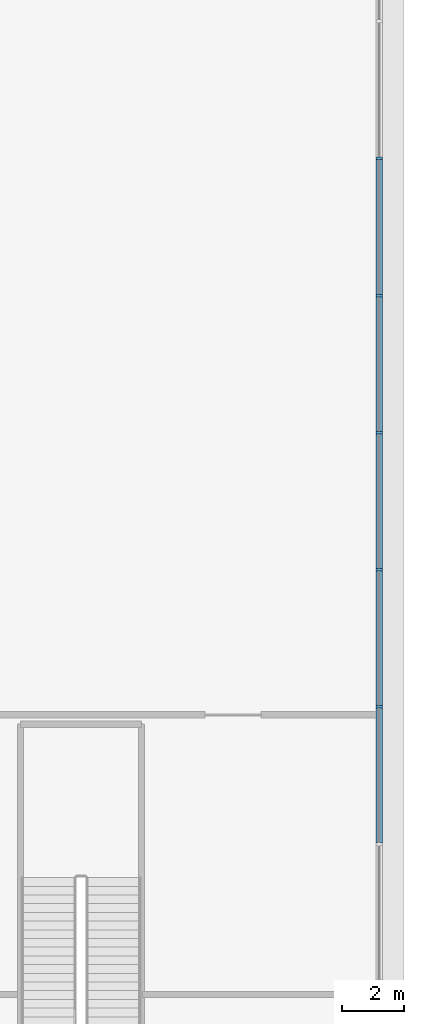
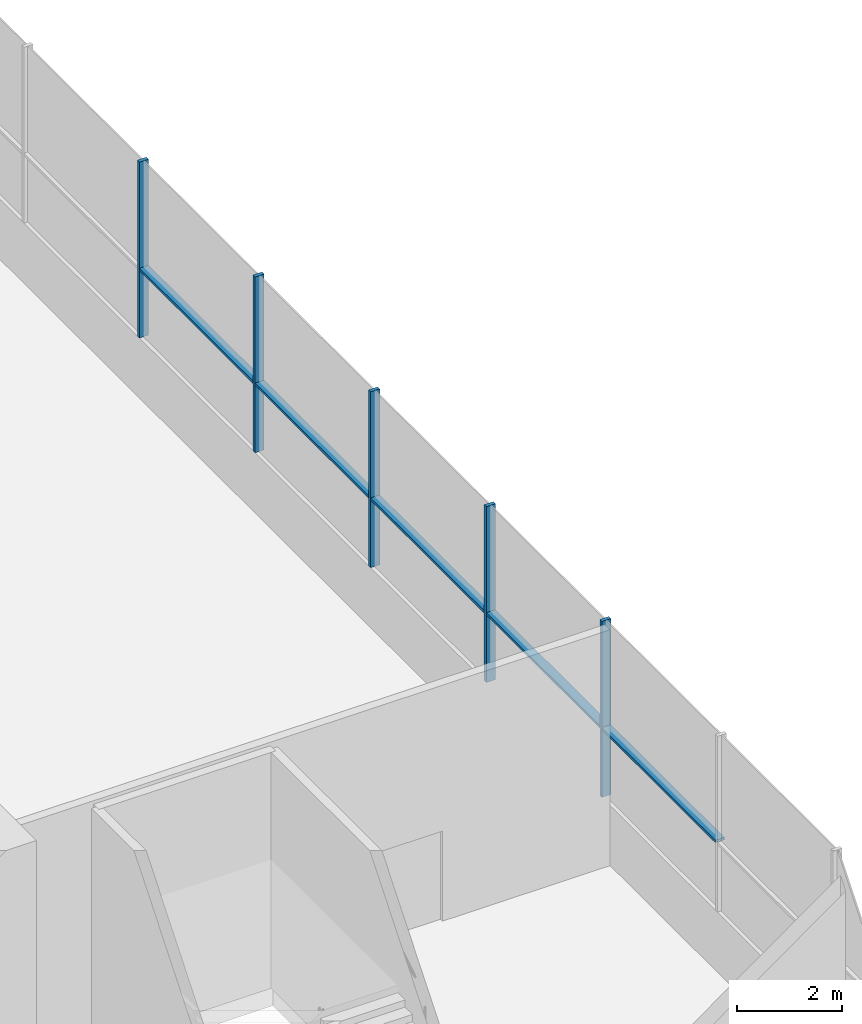
# One storey, part 19 of 52: 10 members, 1 element without a shape of its own.
"""IFC4 building model written with IfcOpenShell, lengths in metres."""

from ifc_helpers import new_model, si_unit, direction, frame, origin, origin_2d, place, context, subcontext, project, spatial, polyline, rectangle, outline, extrude, material, layer, layer_set, material_profile, profile_set, type_object, element, aggregate, save


model = new_model("IFC4")

# Units and contexts
model_context = context("Model", 3, precision=1e-05, world=origin(), true_north=direction((0.0, 1.0)))
body_context = subcontext(model_context, "Body", "Model", "MODEL_VIEW")
ifc_project = project(units=[si_unit("LENGTHUNIT", "METRE"), si_unit("AREAUNIT", "SQUARE_METRE"), si_unit("VOLUMEUNIT", "CUBIC_METRE"), si_unit("PLANEANGLEUNIT", "RADIAN"), si_unit("MASSUNIT", "GRAM", prefix="KILO")], contexts=[model_context])

# Site, building, storey
site_placement = place(None, origin())
site = spatial("IfcSite", under=ifc_project, at=site_placement, CompositionType="ELEMENT")
building_placement = place(site_placement, origin())
building = spatial("IfcBuilding", under=site, at=building_placement, Name="Tamarind Cross Interchange Tower", CompositionType="ELEMENT")
storey_placement = place(building_placement, frame((0.0, 0.0, 9.0)))
storey = spatial("IfcBuildingStorey", under=building, at=storey_placement, Name="L01", CompositionType="ELEMENT", Elevation=9.0)

# Curtain wall, members
ifc_material = material(Name="Aluminium 6063-T6", Category="aluminium")
ifc_layer = layer(ifc_material, 0.199951171875)
ifc_layer_set = layer_set([ifc_layer], Name="Aluminium 6063-T6")
curtain_wall_type = type_object("IfcCurtainWallType", Name="Podium shopfront and station curtain wall", PredefinedType="NOTDEFINED", material=ifc_layer_set)
curtain_wall_placement = place(storey_placement, origin())
curtain_wall = element("IfcCurtainWall", 1, at=curtain_wall_placement, inside=storey, type_object=curtain_wall_type, Name="CWS-L01-00", PredefinedType="NOTDEFINED")
ifc_material_profile = material_profile(ifc_material, rectangle(XDim=0.080078125, YDim=0.199951171875, at=origin_2d()), Name="Mullion CW3")
ifc_profile_set = profile_set([ifc_material_profile], Name="Aluminium 6063-T6")
member_type_1 = type_object("IfcMemberType", Name="Mullion CW3", PredefinedType="MULLION", material=ifc_profile_set)
member_1_placement = place(storey_placement, frame((67.800048828125, -13.24609375, 1.39990234375), z_axis=(0.0, 0.0, 1.0), x_axis=(0.0, 1.0, 0.0)))
member_1 = element("IfcMember", 2, at=member_1_placement, type_object=member_type_1, Name="CWM-L01-00-09", PredefinedType="MULLION", context=body_context, shape_type="SweptSolid", body=[
    extrude(rectangle(XDim=0.080078125, YDim=0.199951171875, at=origin_2d()), origin(), (0.0, 0.0, 1.0), 4.10009765625),
])
member_2_placement = place(storey_placement, frame((67.800048828125, -8.830810546875, 1.39990234375), z_axis=(0.0, 0.0, 1.0), x_axis=(0.0, 1.0, 0.0)))
member_2 = element("IfcMember", 3, at=member_2_placement, type_object=member_type_1, Name="CWM-L01-00-10", PredefinedType="MULLION", context=body_context, shape_type="SweptSolid", body=[
    extrude(rectangle(XDim=0.080078125, YDim=0.199951171875, at=origin_2d()), origin(), (0.0, 0.0, 1.0), 4.10009765625),
])
member_3_placement = place(storey_placement, frame((67.800048828125, -4.415283203125, 1.39990234375), z_axis=(0.0, 0.0, 1.0), x_axis=(0.0, 1.0, 0.0)))
member_3 = element("IfcMember", 4, at=member_3_placement, type_object=member_type_1, Name="CWM-L01-00-11", PredefinedType="MULLION", context=body_context, shape_type="SweptSolid", body=[
    extrude(rectangle(XDim=0.080078125, YDim=0.199951171875, at=origin_2d()), origin(), (0.0, 0.0, 1.0), 4.10009765625),
])
member_4_placement = place(storey_placement, frame((67.800048828125, 0.0, 1.39990234375), z_axis=(0.0, 0.0, 1.0), x_axis=(0.0, 1.0, 0.0)))
member_4 = element("IfcMember", 5, at=member_4_placement, type_object=member_type_1, Name="CWM-L01-00-12", PredefinedType="MULLION", context=body_context, shape_type="SweptSolid", body=[
    extrude(rectangle(XDim=0.080078125, YDim=0.199951171875, at=origin_2d()), origin(), (0.0, 0.0, 1.0), 4.10009765625),
])
member_5_placement = place(storey_placement, frame((67.800048828125, 4.415283203125, 1.39990234375), z_axis=(0.0, 0.0, 1.0), x_axis=(0.0, 1.0, 0.0)))
member_5 = element("IfcMember", 6, at=member_5_placement, type_object=member_type_1, Name="CWM-L01-00-13", PredefinedType="MULLION", context=body_context, shape_type="SweptSolid", body=[
    extrude(rectangle(XDim=0.080078125, YDim=0.199951171875, at=origin_2d()), origin(), (0.0, 0.0, 1.0), 4.10009765625),
])
member_type_2 = type_object("IfcMemberType", Name="Podium intermediate transom", PredefinedType="USERDEFINED", material=ifc_material)
member_6_placement = place(storey_placement, frame((0.0, 0.0, 2.969970703125)))
member_6 = element("IfcMember", 7, at=member_6_placement, type_object=member_type_2, Name="CWT-L01-00-I0-08", ObjectType="TRANSOM", PredefinedType="USERDEFINED", context=body_context, shape_type="SweptSolid", body=[
    extrude(outline(polyline([(67.699951171875, -17.621337890625), (67.699951171875, -13.2861328125), (67.89990234375, -13.2861328125), (67.89990234375, -17.621337890625), (67.699951171875, -17.621337890625)])), origin(), (0.0, 0.0, 1.0), 0.06005859375),
])
member_7_placement = place(storey_placement, frame((0.0, 0.0, 2.969970703125)))
member_7 = element("IfcMember", 8, at=member_7_placement, type_object=member_type_2, Name="CWT-L01-00-I0-09", ObjectType="TRANSOM", PredefinedType="USERDEFINED", context=body_context, shape_type="SweptSolid", body=[
    extrude(outline(polyline([(67.699951171875, -13.2060546875), (67.699951171875, -8.87060546875), (67.89990234375, -8.87060546875), (67.89990234375, -13.2060546875), (67.699951171875, -13.2060546875)])), origin(), (0.0, 0.0, 1.0), 0.06005859375),
])
member_8_placement = place(storey_placement, frame((0.0, 0.0, 2.969970703125)))
member_8 = element("IfcMember", 9, at=member_8_placement, type_object=member_type_2, Name="CWT-L01-00-I0-10", ObjectType="TRANSOM", PredefinedType="USERDEFINED", context=body_context, shape_type="SweptSolid", body=[
    extrude(outline(polyline([(67.699951171875, -8.790771484375), (67.699951171875, -4.455322265625), (67.89990234375, -4.455322265625), (67.89990234375, -8.790771484375), (67.699951171875, -8.790771484375)])), origin(), (0.0, 0.0, 1.0), 0.06005859375),
])
member_9_placement = place(storey_placement, frame((0.0, 0.0, 2.969970703125)))
member_9 = element("IfcMember", 10, at=member_9_placement, type_object=member_type_2, Name="CWT-L01-00-I0-11", ObjectType="TRANSOM", PredefinedType="USERDEFINED", context=body_context, shape_type="SweptSolid", body=[
    extrude(outline(polyline([(67.699951171875, -4.375244140625), (67.699951171875, -0.0400390625), (67.89990234375, -0.0400390625), (67.89990234375, -4.375244140625), (67.699951171875, -4.375244140625)])), origin(), (0.0, 0.0, 1.0), 0.06005859375),
])
member_10_placement = place(storey_placement, frame((0.0, 0.0, 2.969970703125)))
member_10 = element("IfcMember", 11, at=member_10_placement, type_object=member_type_2, Name="CWT-L01-00-I0-12", ObjectType="TRANSOM", PredefinedType="USERDEFINED", context=body_context, shape_type="SweptSolid", body=[
    extrude(outline(polyline([(67.699951171875, 0.0400390625), (67.699951171875, 4.375244140625), (67.89990234375, 4.375244140625), (67.89990234375, 0.0400390625), (67.699951171875, 0.0400390625)])), origin(), (0.0, 0.0, 1.0), 0.06005859375),
])
aggregate(curtain_wall, [member_1, member_2, member_3, member_4, member_5, member_6, member_7, member_8, member_9, member_10])

save(model, "model.ifc")
